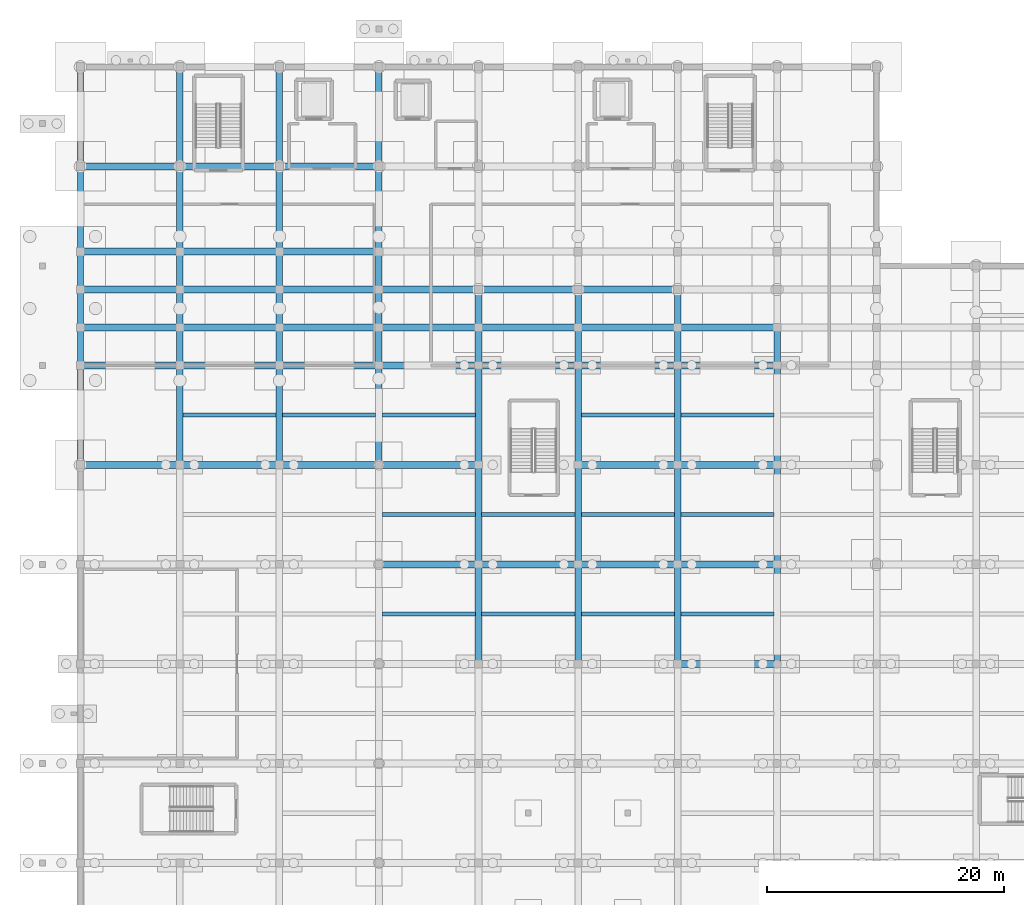
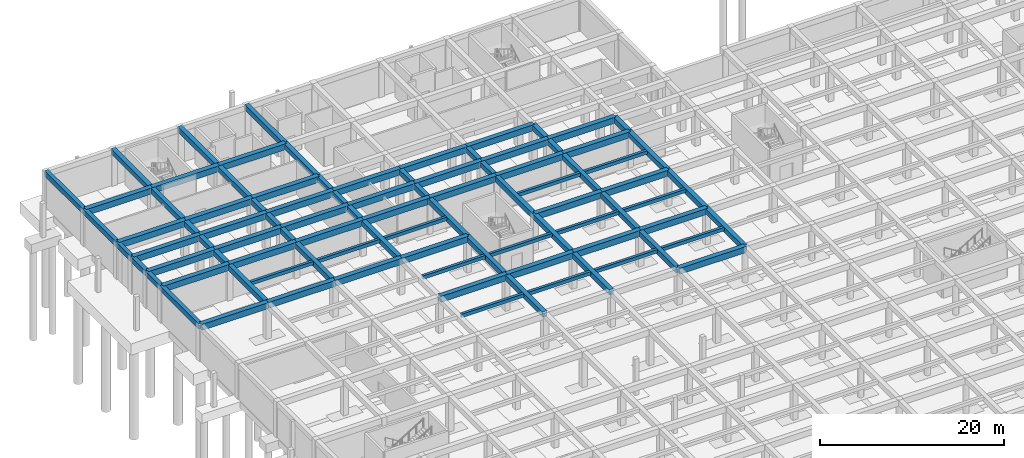
# One storey, part 18 of 51: 93 beams.
"""IFC4 building model written with IfcOpenShell, lengths in metres."""

from ifc_helpers import new_model, si_unit, direction, frame, origin, origin_2d, place, context, subcontext, project, spatial, rectangle, extrude, material, material_profile, profile_set, type_object, element, save


model = new_model("IFC4")

# Units and contexts
model_context = context("Model", 3, precision=1e-05, world=origin(), true_north=direction((0.0, 1.0)))
body_context = subcontext(model_context, "Body", "Model", "MODEL_VIEW")
ifc_project = project(units=[si_unit("LENGTHUNIT", "METRE"), si_unit("AREAUNIT", "SQUARE_METRE"), si_unit("VOLUMEUNIT", "CUBIC_METRE"), si_unit("PLANEANGLEUNIT", "RADIAN"), si_unit("MASSUNIT", "GRAM", prefix="KILO")], contexts=[model_context])

# Site, building, storey
site_placement = place(None, origin())
site = spatial("IfcSite", under=ifc_project, at=site_placement, CompositionType="ELEMENT")
building_placement = place(site_placement, origin())
building = spatial("IfcBuilding", under=site, at=building_placement, Name="Varncliffe General Hospital", CompositionType="ELEMENT")
storey_placement = place(building_placement, frame((0.0, 0.0, -4.800048828125)))
storey = spatial("IfcBuildingStorey", under=building, at=storey_placement, Name="B1", CompositionType="ELEMENT", Elevation=-4.800048828125)

# Beams
ifc_material = material(Name="Concrete C35/45 (CSA A23.1 35 MPa)", Category="concrete")
ifc_material_profile_1 = material_profile(ifc_material, rectangle(XDim=0.550048828125, YDim=0.699951171875, at=origin_2d()), Name="RC 550x700")
ifc_profile_set_1 = profile_set([ifc_material_profile_1], Name="Concrete C35/45 (CSA A23.1 35 MPa)")
beam_type_1 = type_object("IfcBeamType", Name="Beam B35 (Int RC 550x700)", PredefinedType="BEAM", material=ifc_profile_set_1)
beam_1_placement = place(storey_placement, frame((8.39990234375, 91.199951171875, 4.449951171875), z_axis=(0.0, 1.0, 0.0), x_axis=(-1.0, 0.0, 0.0)))
element("IfcBeam", 1, at=beam_1_placement, inside=storey, type_object=beam_type_1, Name="B1 Primary Beam B35-348", PredefinedType="BEAM", context=body_context, shape_type="SweptSolid", body=[
    extrude(rectangle(XDim=0.550048828125, YDim=0.699951171875, at=origin_2d()), origin(), (0.0, 0.0, 1.0), 8.400146484375),
])
for number, where, z_axis, x_axis, name in (
    (2, (8.39990234375, 99.60009765625, 4.449951171875), (0.0, 1.0, 0.0), (-1.0, 0.0, 0.0), "B1 Primary Beam B35-349"),
    (3, (8.39990234375, 102.800048828125, 4.449951171875), (0.0, 1.0, 0.0), (-1.0, 0.0, 0.0), "B1 Primary Beam B35-350"),
    (4, (8.39990234375, 106.0, 4.449951171875), (0.0, 1.0, 0.0), (-1.0, 0.0, 0.0), "B1 Primary Beam B35-351"),
):
    element("IfcBeam", number, at=place(storey_placement, frame(where, z_axis=z_axis, x_axis=x_axis)), inside=storey, type_object=beam_type_1, Name=name, PredefinedType="BEAM", context=body_context, shape_type="SweptSolid", body=[
        extrude(rectangle(XDim=0.550048828125, YDim=0.699951171875, at=origin_2d()), origin(), (0.0, 0.0, 1.0), 3.199951171875),
    ])
beam_2_placement = place(storey_placement, frame((8.39990234375, 109.199951171875, 4.449951171875), z_axis=(0.0, 1.0, 0.0), x_axis=(-1.0, 0.0, 0.0)))
element("IfcBeam", 5, at=beam_2_placement, inside=storey, type_object=beam_type_1, Name="B1 Primary Beam B35-352", PredefinedType="BEAM", context=body_context, shape_type="SweptSolid", body=[
    extrude(rectangle(XDim=0.550048828125, YDim=0.699951171875, at=origin_2d()), origin(), (0.0, 0.0, 1.0), 7.199951171875),
])
for number, where, z_axis, x_axis, name in (
    (6, (8.39990234375, 116.39990234375, 4.449951171875), (0.0, 1.0, 0.0), (-1.0, 0.0, 0.0), "B1 Primary Beam B35-353"),
    (7, (16.800048828125, 91.199951171875, 4.449951171875), (0.0, 1.0, 0.0), (-1.0, 0.0, 0.0), "B1 Primary Beam B35-365"),
):
    element("IfcBeam", number, at=place(storey_placement, frame(where, z_axis=z_axis, x_axis=x_axis)), inside=storey, type_object=beam_type_1, Name=name, PredefinedType="BEAM", context=body_context, shape_type="SweptSolid", body=[
        extrude(rectangle(XDim=0.550048828125, YDim=0.699951171875, at=origin_2d()), origin(), (0.0, 0.0, 1.0), 8.400146484375),
    ])
for number, where, z_axis, x_axis, name in (
    (8, (16.800048828125, 99.60009765625, 4.449951171875), (0.0, 1.0, 0.0), (-1.0, 0.0, 0.0), "B1 Primary Beam B35-366"),
    (9, (16.800048828125, 102.800048828125, 4.449951171875), (0.0, 1.0, 0.0), (-1.0, 0.0, 0.0), "B1 Primary Beam B35-367"),
    (10, (16.800048828125, 106.0, 4.449951171875), (0.0, 1.0, 0.0), (-1.0, 0.0, 0.0), "B1 Primary Beam B35-368"),
):
    element("IfcBeam", number, at=place(storey_placement, frame(where, z_axis=z_axis, x_axis=x_axis)), inside=storey, type_object=beam_type_1, Name=name, PredefinedType="BEAM", context=body_context, shape_type="SweptSolid", body=[
        extrude(rectangle(XDim=0.550048828125, YDim=0.699951171875, at=origin_2d()), origin(), (0.0, 0.0, 1.0), 3.199951171875),
    ])
beam_3_placement = place(storey_placement, frame((16.800048828125, 109.199951171875, 4.449951171875), z_axis=(0.0, 1.0, 0.0), x_axis=(-1.0, 0.0, 0.0)))
element("IfcBeam", 11, at=beam_3_placement, inside=storey, type_object=beam_type_1, Name="B1 Primary Beam B35-369", PredefinedType="BEAM", context=body_context, shape_type="SweptSolid", body=[
    extrude(rectangle(XDim=0.550048828125, YDim=0.699951171875, at=origin_2d()), origin(), (0.0, 0.0, 1.0), 7.199951171875),
])
for number, where, z_axis, x_axis, name in (
    (12, (16.800048828125, 116.39990234375, 4.449951171875), (0.0, 1.0, 0.0), (-1.0, 0.0, 0.0), "B1 Primary Beam B35-370"),
    (13, (25.199951171875, 91.199951171875, 4.449951171875), (0.0, 1.0, 0.0), (-1.0, 0.0, 0.0), "B1 Primary Beam B35-382"),
):
    element("IfcBeam", number, at=place(storey_placement, frame(where, z_axis=z_axis, x_axis=x_axis)), inside=storey, type_object=beam_type_1, Name=name, PredefinedType="BEAM", context=body_context, shape_type="SweptSolid", body=[
        extrude(rectangle(XDim=0.550048828125, YDim=0.699951171875, at=origin_2d()), origin(), (0.0, 0.0, 1.0), 8.400146484375),
    ])
for number, where, z_axis, x_axis, name in (
    (14, (25.199951171875, 99.60009765625, 4.449951171875), (0.0, 1.0, 0.0), (-1.0, 0.0, 0.0), "B1 Primary Beam B35-383"),
    (15, (25.199951171875, 102.800048828125, 4.449951171875), (0.0, 1.0, 0.0), (-1.0, 0.0, 0.0), "B1 Primary Beam B35-384"),
    (16, (25.199951171875, 106.0, 4.449951171875), (0.0, 1.0, 0.0), (-1.0, 0.0, 0.0), "B1 Primary Beam B35-385"),
):
    element("IfcBeam", number, at=place(storey_placement, frame(where, z_axis=z_axis, x_axis=x_axis)), inside=storey, type_object=beam_type_1, Name=name, PredefinedType="BEAM", context=body_context, shape_type="SweptSolid", body=[
        extrude(rectangle(XDim=0.550048828125, YDim=0.699951171875, at=origin_2d()), origin(), (0.0, 0.0, 1.0), 3.199951171875),
    ])
beam_4_placement = place(storey_placement, frame((25.199951171875, 109.199951171875, 4.449951171875), z_axis=(0.0, 1.0, 0.0), x_axis=(-1.0, 0.0, 0.0)))
element("IfcBeam", 17, at=beam_4_placement, inside=storey, type_object=beam_type_1, Name="B1 Primary Beam B35-386", PredefinedType="BEAM", context=body_context, shape_type="SweptSolid", body=[
    extrude(rectangle(XDim=0.550048828125, YDim=0.699951171875, at=origin_2d()), origin(), (0.0, 0.0, 1.0), 7.199951171875),
])
for number, where, z_axis, x_axis, name in (
    (18, (25.199951171875, 116.39990234375, 4.449951171875), (0.0, 1.0, 0.0), (-1.0, 0.0, 0.0), "B1 Primary Beam B35-387"),
    (19, (33.60009765625, 74.39990234375, 4.449951171875), (0.0, 1.0, 0.0), (-1.0, 0.0, 0.0), "B1 Primary Beam B35-394"),
):
    element("IfcBeam", number, at=place(storey_placement, frame(where, z_axis=z_axis, x_axis=x_axis)), inside=storey, type_object=beam_type_1, Name=name, PredefinedType="BEAM", context=body_context, shape_type="SweptSolid", body=[
        extrude(rectangle(XDim=0.550048828125, YDim=0.699951171875, at=origin_2d()), origin(), (0.0, 0.0, 1.0), 8.400146484375),
    ])
beam_5_placement = place(storey_placement, frame((33.60009765625, 82.800048828125, 4.449951171875), z_axis=(0.0, 1.0, 0.0), x_axis=(-1.0, 0.0, 0.0)))
element("IfcBeam", 20, at=beam_5_placement, inside=storey, type_object=beam_type_1, Name="B1 Primary Beam B35-395", PredefinedType="BEAM", context=body_context, shape_type="SweptSolid", body=[
    extrude(rectangle(XDim=0.550048828125, YDim=0.699951171875, at=origin_2d()), origin(), (0.0, 0.0, 1.0), 8.39990234375),
])
beam_6_placement = place(storey_placement, frame((33.60009765625, 91.199951171875, 4.449951171875), z_axis=(0.0, 1.0, 0.0), x_axis=(-1.0, 0.0, 0.0)))
element("IfcBeam", 21, at=beam_6_placement, inside=storey, type_object=beam_type_1, Name="B1 Primary Beam B35-396", PredefinedType="BEAM", context=body_context, shape_type="SweptSolid", body=[
    extrude(rectangle(XDim=0.550048828125, YDim=0.699951171875, at=origin_2d()), origin(), (0.0, 0.0, 1.0), 8.400146484375),
])
for number, where, z_axis, x_axis, name in (
    (22, (33.60009765625, 99.60009765625, 4.449951171875), (0.0, 1.0, 0.0), (-1.0, 0.0, 0.0), "B1 Primary Beam B35-397"),
    (23, (33.60009765625, 102.800048828125, 4.449951171875), (0.0, 1.0, 0.0), (-1.0, 0.0, 0.0), "B1 Primary Beam B35-398"),
):
    element("IfcBeam", number, at=place(storey_placement, frame(where, z_axis=z_axis, x_axis=x_axis)), inside=storey, type_object=beam_type_1, Name=name, PredefinedType="BEAM", context=body_context, shape_type="SweptSolid", body=[
        extrude(rectangle(XDim=0.550048828125, YDim=0.699951171875, at=origin_2d()), origin(), (0.0, 0.0, 1.0), 3.199951171875),
    ])
beam_7_placement = place(storey_placement, frame((42.0, 74.39990234375, 4.449951171875), z_axis=(0.0, 1.0, 0.0), x_axis=(-1.0, 0.0, 0.0)))
element("IfcBeam", 24, at=beam_7_placement, inside=storey, type_object=beam_type_1, Name="B1 Primary Beam B35-408", PredefinedType="BEAM", context=body_context, shape_type="SweptSolid", body=[
    extrude(rectangle(XDim=0.550048828125, YDim=0.699951171875, at=origin_2d()), origin(), (0.0, 0.0, 1.0), 8.400146484375),
])
beam_8_placement = place(storey_placement, frame((42.0, 82.800048828125, 4.449951171875), z_axis=(0.0, 1.0, 0.0), x_axis=(-1.0, 0.0, 0.0)))
element("IfcBeam", 25, at=beam_8_placement, inside=storey, type_object=beam_type_1, Name="B1 Primary Beam B35-409", PredefinedType="BEAM", context=body_context, shape_type="SweptSolid", body=[
    extrude(rectangle(XDim=0.550048828125, YDim=0.699951171875, at=origin_2d()), origin(), (0.0, 0.0, 1.0), 8.39990234375),
])
beam_9_placement = place(storey_placement, frame((42.0, 91.199951171875, 4.449951171875), z_axis=(0.0, 1.0, 0.0), x_axis=(-1.0, 0.0, 0.0)))
element("IfcBeam", 26, at=beam_9_placement, inside=storey, type_object=beam_type_1, Name="B1 Primary Beam B35-410", PredefinedType="BEAM", context=body_context, shape_type="SweptSolid", body=[
    extrude(rectangle(XDim=0.550048828125, YDim=0.699951171875, at=origin_2d()), origin(), (0.0, 0.0, 1.0), 8.400146484375),
])
for number, where, z_axis, x_axis, name in (
    (27, (42.0, 99.60009765625, 4.449951171875), (0.0, 1.0, 0.0), (-1.0, 0.0, 0.0), "B1 Primary Beam B35-411"),
    (28, (42.0, 102.800048828125, 4.449951171875), (0.0, 1.0, 0.0), (-1.0, 0.0, 0.0), "B1 Primary Beam B35-412"),
):
    element("IfcBeam", number, at=place(storey_placement, frame(where, z_axis=z_axis, x_axis=x_axis)), inside=storey, type_object=beam_type_1, Name=name, PredefinedType="BEAM", context=body_context, shape_type="SweptSolid", body=[
        extrude(rectangle(XDim=0.550048828125, YDim=0.699951171875, at=origin_2d()), origin(), (0.0, 0.0, 1.0), 3.199951171875),
    ])
beam_10_placement = place(storey_placement, frame((50.39990234375, 74.39990234375, 4.449951171875), z_axis=(0.0, 1.0, 0.0), x_axis=(-1.0, 0.0, 0.0)))
element("IfcBeam", 29, at=beam_10_placement, inside=storey, type_object=beam_type_1, Name="B1 Primary Beam B35-422", PredefinedType="BEAM", context=body_context, shape_type="SweptSolid", body=[
    extrude(rectangle(XDim=0.550048828125, YDim=0.699951171875, at=origin_2d()), origin(), (0.0, 0.0, 1.0), 8.400146484375),
])
beam_11_placement = place(storey_placement, frame((50.39990234375, 82.800048828125, 4.449951171875), z_axis=(0.0, 1.0, 0.0), x_axis=(-1.0, 0.0, 0.0)))
element("IfcBeam", 30, at=beam_11_placement, inside=storey, type_object=beam_type_1, Name="B1 Primary Beam B35-423", PredefinedType="BEAM", context=body_context, shape_type="SweptSolid", body=[
    extrude(rectangle(XDim=0.550048828125, YDim=0.699951171875, at=origin_2d()), origin(), (0.0, 0.0, 1.0), 8.39990234375),
])
beam_12_placement = place(storey_placement, frame((50.39990234375, 91.199951171875, 4.449951171875), z_axis=(0.0, 1.0, 0.0), x_axis=(-1.0, 0.0, 0.0)))
element("IfcBeam", 31, at=beam_12_placement, inside=storey, type_object=beam_type_1, Name="B1 Primary Beam B35-424", PredefinedType="BEAM", context=body_context, shape_type="SweptSolid", body=[
    extrude(rectangle(XDim=0.550048828125, YDim=0.699951171875, at=origin_2d()), origin(), (0.0, 0.0, 1.0), 8.400146484375),
])
for number, where, z_axis, x_axis, name in (
    (32, (50.39990234375, 99.60009765625, 4.449951171875), (0.0, 1.0, 0.0), (-1.0, 0.0, 0.0), "B1 Primary Beam B35-425"),
    (33, (50.39990234375, 102.800048828125, 4.449951171875), (0.0, 1.0, 0.0), (-1.0, 0.0, 0.0), "B1 Primary Beam B35-426"),
):
    element("IfcBeam", number, at=place(storey_placement, frame(where, z_axis=z_axis, x_axis=x_axis)), inside=storey, type_object=beam_type_1, Name=name, PredefinedType="BEAM", context=body_context, shape_type="SweptSolid", body=[
        extrude(rectangle(XDim=0.550048828125, YDim=0.699951171875, at=origin_2d()), origin(), (0.0, 0.0, 1.0), 3.199951171875),
    ])
beam_13_placement = place(storey_placement, frame((58.800048828125, 74.39990234375, 4.449951171875), z_axis=(0.0, 1.0, 0.0), x_axis=(-1.0, 0.0, 0.0)))
element("IfcBeam", 34, at=beam_13_placement, inside=storey, type_object=beam_type_1, Name="B1 Primary Beam B35-438", PredefinedType="BEAM", context=body_context, shape_type="SweptSolid", body=[
    extrude(rectangle(XDim=0.550048828125, YDim=0.699951171875, at=origin_2d()), origin(), (0.0, 0.0, 1.0), 8.400146484375),
])
beam_14_placement = place(storey_placement, frame((58.800048828125, 82.800048828125, 4.449951171875), z_axis=(0.0, 1.0, 0.0), x_axis=(-1.0, 0.0, 0.0)))
element("IfcBeam", 35, at=beam_14_placement, inside=storey, type_object=beam_type_1, Name="B1 Primary Beam B35-439", PredefinedType="BEAM", context=body_context, shape_type="SweptSolid", body=[
    extrude(rectangle(XDim=0.550048828125, YDim=0.699951171875, at=origin_2d()), origin(), (0.0, 0.0, 1.0), 8.39990234375),
])
beam_15_placement = place(storey_placement, frame((58.800048828125, 91.199951171875, 4.449951171875), z_axis=(0.0, 1.0, 0.0), x_axis=(-1.0, 0.0, 0.0)))
element("IfcBeam", 36, at=beam_15_placement, inside=storey, type_object=beam_type_1, Name="B1 Primary Beam B35-440", PredefinedType="BEAM", context=body_context, shape_type="SweptSolid", body=[
    extrude(rectangle(XDim=0.550048828125, YDim=0.699951171875, at=origin_2d()), origin(), (0.0, 0.0, 1.0), 8.400146484375),
])
beam_16_placement = place(storey_placement, frame((58.800048828125, 99.60009765625, 4.449951171875), z_axis=(0.0, 1.0, 0.0), x_axis=(-1.0, 0.0, 0.0)))
element("IfcBeam", 37, at=beam_16_placement, inside=storey, type_object=beam_type_1, Name="B1 Primary Beam B35-441", PredefinedType="BEAM", context=body_context, shape_type="SweptSolid", body=[
    extrude(rectangle(XDim=0.550048828125, YDim=0.699951171875, at=origin_2d()), origin(), (0.0, 0.0, 1.0), 3.199951171875),
])
ifc_material_profile_2 = material_profile(ifc_material, rectangle(XDim=0.60009765625, YDim=0.800048828125, at=origin_2d()), Name="RC 600x800")
ifc_profile_set_2 = profile_set([ifc_material_profile_2], Name="Concrete C35/45 (CSA A23.1 35 MPa)")
beam_type_2 = type_object("IfcBeamType", Name="Beam B40 (Int RC 600x800)", PredefinedType="BEAM", material=ifc_profile_set_2)
for number, where, z_axis, x_axis, name in (
    (38, (50.39990234375, 74.39990234375, 4.400146484375), (1.0, 0.0, 0.0), (0.0, 1.0, 0.0), "B1 Primary Beam B40-160"),
    (39, (25.199951171875, 82.800048828125, 4.400146484375), (1.0, 0.0, 0.0), (0.0, 1.0, 0.0), "B1 Primary Beam B40-178"),
):
    element("IfcBeam", number, at=place(storey_placement, frame(where, z_axis=z_axis, x_axis=x_axis)), inside=storey, type_object=beam_type_2, Name=name, PredefinedType="BEAM", context=body_context, shape_type="SweptSolid", body=[
        extrude(rectangle(XDim=0.60009765625, YDim=0.800048828125, at=origin_2d()), origin(), (0.0, 0.0, 1.0), 8.400146484375),
    ])
for number, where, z_axis, x_axis, name in (
    (40, (33.60009765625, 82.800048828125, 4.400146484375), (1.0, 0.0, 0.0), (0.0, 1.0, 0.0), "B1 Primary Beam B40-179"),
    (41, (42.0, 82.800048828125, 4.400146484375), (1.0, 0.0, 0.0), (0.0, 1.0, 0.0), "B1 Primary Beam B40-180"),
):
    element("IfcBeam", number, at=place(storey_placement, frame(where, z_axis=z_axis, x_axis=x_axis)), inside=storey, type_object=beam_type_2, Name=name, PredefinedType="BEAM", context=body_context, shape_type="SweptSolid", body=[
        extrude(rectangle(XDim=0.60009765625, YDim=0.800048828125, at=origin_2d()), origin(), (0.0, 0.0, 1.0), 8.39990234375),
    ])
beam_17_placement = place(storey_placement, frame((50.39990234375, 82.800048828125, 4.400146484375), z_axis=(1.0, 0.0, 0.0), x_axis=(0.0, 1.0, 0.0)))
element("IfcBeam", 42, at=beam_17_placement, inside=storey, type_object=beam_type_2, Name="B1 Primary Beam B40-181", PredefinedType="BEAM", context=body_context, shape_type="SweptSolid", body=[
    extrude(rectangle(XDim=0.60009765625, YDim=0.800048828125, at=origin_2d()), origin(), (0.0, 0.0, 1.0), 8.400146484375),
])
beam_18_placement = place(storey_placement, frame((0.0, 91.199951171875, 4.400146484375), z_axis=(1.0, 0.0, 0.0), x_axis=(0.0, 1.0, 0.0)))
element("IfcBeam", 43, at=beam_18_placement, inside=storey, type_object=beam_type_2, Name="B1 Primary Beam B40-196", PredefinedType="BEAM", context=body_context, shape_type="SweptSolid", body=[
    extrude(rectangle(XDim=0.60009765625, YDim=0.800048828125, at=origin_2d()), origin(), (0.0, 0.0, 1.0), 8.39990234375),
])
beam_19_placement = place(storey_placement, frame((8.39990234375, 91.199951171875, 4.400146484375), z_axis=(1.0, 0.0, 0.0), x_axis=(0.0, 1.0, 0.0)))
element("IfcBeam", 44, at=beam_19_placement, inside=storey, type_object=beam_type_2, Name="B1 Primary Beam B40-197", PredefinedType="BEAM", context=body_context, shape_type="SweptSolid", body=[
    extrude(rectangle(XDim=0.60009765625, YDim=0.800048828125, at=origin_2d()), origin(), (0.0, 0.0, 1.0), 8.400146484375),
])
beam_20_placement = place(storey_placement, frame((16.800048828125, 91.199951171875, 4.400146484375), z_axis=(1.0, 0.0, 0.0), x_axis=(0.0, 1.0, 0.0)))
element("IfcBeam", 45, at=beam_20_placement, inside=storey, type_object=beam_type_2, Name="B1 Primary Beam B40-198", PredefinedType="BEAM", context=body_context, shape_type="SweptSolid", body=[
    extrude(rectangle(XDim=0.60009765625, YDim=0.800048828125, at=origin_2d()), origin(), (0.0, 0.0, 1.0), 8.39990234375),
])
beam_21_placement = place(storey_placement, frame((25.199951171875, 91.199951171875, 4.400146484375), z_axis=(1.0, 0.0, 0.0), x_axis=(0.0, 1.0, 0.0)))
element("IfcBeam", 46, at=beam_21_placement, inside=storey, type_object=beam_type_2, Name="B1 Primary Beam B40-199", PredefinedType="BEAM", context=body_context, shape_type="SweptSolid", body=[
    extrude(rectangle(XDim=0.60009765625, YDim=0.800048828125, at=origin_2d()), origin(), (0.0, 0.0, 1.0), 8.400146484375),
])
beam_22_placement = place(storey_placement, frame((42.0, 91.199951171875, 4.400146484375), z_axis=(1.0, 0.0, 0.0), x_axis=(0.0, 1.0, 0.0)))
element("IfcBeam", 47, at=beam_22_placement, inside=storey, type_object=beam_type_2, Name="B1 Primary Beam B40-200", PredefinedType="BEAM", context=body_context, shape_type="SweptSolid", body=[
    extrude(rectangle(XDim=0.60009765625, YDim=0.800048828125, at=origin_2d()), origin(), (0.0, 0.0, 1.0), 8.39990234375),
])
beam_23_placement = place(storey_placement, frame((50.39990234375, 91.199951171875, 4.400146484375), z_axis=(1.0, 0.0, 0.0), x_axis=(0.0, 1.0, 0.0)))
element("IfcBeam", 48, at=beam_23_placement, inside=storey, type_object=beam_type_2, Name="B1 Primary Beam B40-201", PredefinedType="BEAM", context=body_context, shape_type="SweptSolid", body=[
    extrude(rectangle(XDim=0.60009765625, YDim=0.800048828125, at=origin_2d()), origin(), (0.0, 0.0, 1.0), 8.400146484375),
])
beam_24_placement = place(storey_placement, frame((0.0, 99.60009765625, 4.400146484375), z_axis=(1.0, 0.0, 0.0), x_axis=(0.0, 1.0, 0.0)))
element("IfcBeam", 49, at=beam_24_placement, inside=storey, type_object=beam_type_2, Name="B1 Primary Beam B40-213", PredefinedType="BEAM", context=body_context, shape_type="SweptSolid", body=[
    extrude(rectangle(XDim=0.60009765625, YDim=0.800048828125, at=origin_2d()), origin(), (0.0, 0.0, 1.0), 8.39990234375),
])
beam_25_placement = place(storey_placement, frame((8.39990234375, 99.60009765625, 4.400146484375), z_axis=(1.0, 0.0, 0.0), x_axis=(0.0, 1.0, 0.0)))
element("IfcBeam", 50, at=beam_25_placement, inside=storey, type_object=beam_type_2, Name="B1 Primary Beam B40-214", PredefinedType="BEAM", context=body_context, shape_type="SweptSolid", body=[
    extrude(rectangle(XDim=0.60009765625, YDim=0.800048828125, at=origin_2d()), origin(), (0.0, 0.0, 1.0), 8.400146484375),
])
beam_26_placement = place(storey_placement, frame((16.800048828125, 99.60009765625, 4.400146484375), z_axis=(1.0, 0.0, 0.0), x_axis=(0.0, 1.0, 0.0)))
element("IfcBeam", 51, at=beam_26_placement, inside=storey, type_object=beam_type_2, Name="B1 Primary Beam B40-215", PredefinedType="BEAM", context=body_context, shape_type="SweptSolid", body=[
    extrude(rectangle(XDim=0.60009765625, YDim=0.800048828125, at=origin_2d()), origin(), (0.0, 0.0, 1.0), 8.39990234375),
])
beam_27_placement = place(storey_placement, frame((25.199951171875, 99.60009765625, 4.400146484375), z_axis=(1.0, 0.0, 0.0), x_axis=(0.0, 1.0, 0.0)))
element("IfcBeam", 52, at=beam_27_placement, inside=storey, type_object=beam_type_2, Name="B1 Primary Beam B40-216", PredefinedType="BEAM", context=body_context, shape_type="SweptSolid", body=[
    extrude(rectangle(XDim=0.60009765625, YDim=0.800048828125, at=origin_2d()), origin(), (0.0, 0.0, 1.0), 8.400146484375),
])
for number, where, z_axis, x_axis, name in (
    (53, (33.60009765625, 99.60009765625, 4.400146484375), (1.0, 0.0, 0.0), (0.0, 1.0, 0.0), "B1 Primary Beam B40-217"),
    (54, (42.0, 99.60009765625, 4.400146484375), (1.0, 0.0, 0.0), (0.0, 1.0, 0.0), "B1 Primary Beam B40-218"),
):
    element("IfcBeam", number, at=place(storey_placement, frame(where, z_axis=z_axis, x_axis=x_axis)), inside=storey, type_object=beam_type_2, Name=name, PredefinedType="BEAM", context=body_context, shape_type="SweptSolid", body=[
        extrude(rectangle(XDim=0.60009765625, YDim=0.800048828125, at=origin_2d()), origin(), (0.0, 0.0, 1.0), 8.39990234375),
    ])
beam_28_placement = place(storey_placement, frame((50.39990234375, 99.60009765625, 4.400146484375), z_axis=(1.0, 0.0, 0.0), x_axis=(0.0, 1.0, 0.0)))
element("IfcBeam", 55, at=beam_28_placement, inside=storey, type_object=beam_type_2, Name="B1 Primary Beam B40-219", PredefinedType="BEAM", context=body_context, shape_type="SweptSolid", body=[
    extrude(rectangle(XDim=0.60009765625, YDim=0.800048828125, at=origin_2d()), origin(), (0.0, 0.0, 1.0), 8.400146484375),
])
beam_29_placement = place(storey_placement, frame((0.0, 102.800048828125, 4.400146484375), z_axis=(1.0, 0.0, 0.0), x_axis=(0.0, 1.0, 0.0)))
element("IfcBeam", 56, at=beam_29_placement, inside=storey, type_object=beam_type_2, Name="B1 Primary Beam B40-234", PredefinedType="BEAM", context=body_context, shape_type="SweptSolid", body=[
    extrude(rectangle(XDim=0.60009765625, YDim=0.800048828125, at=origin_2d()), origin(), (0.0, 0.0, 1.0), 8.39990234375),
])
beam_30_placement = place(storey_placement, frame((8.39990234375, 102.800048828125, 4.400146484375), z_axis=(1.0, 0.0, 0.0), x_axis=(0.0, 1.0, 0.0)))
element("IfcBeam", 57, at=beam_30_placement, inside=storey, type_object=beam_type_2, Name="B1 Primary Beam B40-235", PredefinedType="BEAM", context=body_context, shape_type="SweptSolid", body=[
    extrude(rectangle(XDim=0.60009765625, YDim=0.800048828125, at=origin_2d()), origin(), (0.0, 0.0, 1.0), 8.400146484375),
])
beam_31_placement = place(storey_placement, frame((16.800048828125, 102.800048828125, 4.400146484375), z_axis=(1.0, 0.0, 0.0), x_axis=(0.0, 1.0, 0.0)))
element("IfcBeam", 58, at=beam_31_placement, inside=storey, type_object=beam_type_2, Name="B1 Primary Beam B40-236", PredefinedType="BEAM", context=body_context, shape_type="SweptSolid", body=[
    extrude(rectangle(XDim=0.60009765625, YDim=0.800048828125, at=origin_2d()), origin(), (0.0, 0.0, 1.0), 8.39990234375),
])
beam_32_placement = place(storey_placement, frame((25.199951171875, 102.800048828125, 4.400146484375), z_axis=(1.0, 0.0, 0.0), x_axis=(0.0, 1.0, 0.0)))
element("IfcBeam", 59, at=beam_32_placement, inside=storey, type_object=beam_type_2, Name="B1 Primary Beam B40-237", PredefinedType="BEAM", context=body_context, shape_type="SweptSolid", body=[
    extrude(rectangle(XDim=0.60009765625, YDim=0.800048828125, at=origin_2d()), origin(), (0.0, 0.0, 1.0), 8.400146484375),
])
for number, where, z_axis, x_axis, name in (
    (60, (33.60009765625, 102.800048828125, 4.400146484375), (1.0, 0.0, 0.0), (0.0, 1.0, 0.0), "B1 Primary Beam B40-238"),
    (61, (42.0, 102.800048828125, 4.400146484375), (1.0, 0.0, 0.0), (0.0, 1.0, 0.0), "B1 Primary Beam B40-239"),
):
    element("IfcBeam", number, at=place(storey_placement, frame(where, z_axis=z_axis, x_axis=x_axis)), inside=storey, type_object=beam_type_2, Name=name, PredefinedType="BEAM", context=body_context, shape_type="SweptSolid", body=[
        extrude(rectangle(XDim=0.60009765625, YDim=0.800048828125, at=origin_2d()), origin(), (0.0, 0.0, 1.0), 8.39990234375),
    ])
beam_33_placement = place(storey_placement, frame((50.39990234375, 102.800048828125, 4.400146484375), z_axis=(1.0, 0.0, 0.0), x_axis=(0.0, 1.0, 0.0)))
element("IfcBeam", 62, at=beam_33_placement, inside=storey, type_object=beam_type_2, Name="B1 Primary Beam B40-240", PredefinedType="BEAM", context=body_context, shape_type="SweptSolid", body=[
    extrude(rectangle(XDim=0.60009765625, YDim=0.800048828125, at=origin_2d()), origin(), (0.0, 0.0, 1.0), 8.400146484375),
])
beam_34_placement = place(storey_placement, frame((0.0, 106.0, 4.400146484375), z_axis=(1.0, 0.0, 0.0), x_axis=(0.0, 1.0, 0.0)))
element("IfcBeam", 63, at=beam_34_placement, inside=storey, type_object=beam_type_2, Name="B1 Primary Beam B40-255", PredefinedType="BEAM", context=body_context, shape_type="SweptSolid", body=[
    extrude(rectangle(XDim=0.60009765625, YDim=0.800048828125, at=origin_2d()), origin(), (0.0, 0.0, 1.0), 8.39990234375),
])
beam_35_placement = place(storey_placement, frame((8.39990234375, 106.0, 4.400146484375), z_axis=(1.0, 0.0, 0.0), x_axis=(0.0, 1.0, 0.0)))
element("IfcBeam", 64, at=beam_35_placement, inside=storey, type_object=beam_type_2, Name="B1 Primary Beam B40-256", PredefinedType="BEAM", context=body_context, shape_type="SweptSolid", body=[
    extrude(rectangle(XDim=0.60009765625, YDim=0.800048828125, at=origin_2d()), origin(), (0.0, 0.0, 1.0), 8.400146484375),
])
beam_36_placement = place(storey_placement, frame((16.800048828125, 106.0, 4.400146484375), z_axis=(1.0, 0.0, 0.0), x_axis=(0.0, 1.0, 0.0)))
element("IfcBeam", 65, at=beam_36_placement, inside=storey, type_object=beam_type_2, Name="B1 Primary Beam B40-257", PredefinedType="BEAM", context=body_context, shape_type="SweptSolid", body=[
    extrude(rectangle(XDim=0.60009765625, YDim=0.800048828125, at=origin_2d()), origin(), (0.0, 0.0, 1.0), 8.39990234375),
])
beam_37_placement = place(storey_placement, frame((25.199951171875, 106.0, 4.400146484375), z_axis=(1.0, 0.0, 0.0), x_axis=(0.0, 1.0, 0.0)))
element("IfcBeam", 66, at=beam_37_placement, inside=storey, type_object=beam_type_2, Name="B1 Primary Beam B40-258", PredefinedType="BEAM", context=body_context, shape_type="SweptSolid", body=[
    extrude(rectangle(XDim=0.60009765625, YDim=0.800048828125, at=origin_2d()), origin(), (0.0, 0.0, 1.0), 8.400146484375),
])
for number, where, z_axis, x_axis, name in (
    (67, (33.60009765625, 106.0, 4.400146484375), (1.0, 0.0, 0.0), (0.0, 1.0, 0.0), "B1 Primary Beam B40-259"),
    (68, (42.0, 106.0, 4.400146484375), (1.0, 0.0, 0.0), (0.0, 1.0, 0.0), "B1 Primary Beam B40-260"),
    (69, (0.0, 109.199951171875, 4.400146484375), (1.0, 0.0, 0.0), (0.0, 1.0, 0.0), "B1 Primary Beam B40-274"),
):
    element("IfcBeam", number, at=place(storey_placement, frame(where, z_axis=z_axis, x_axis=x_axis)), inside=storey, type_object=beam_type_2, Name=name, PredefinedType="BEAM", context=body_context, shape_type="SweptSolid", body=[
        extrude(rectangle(XDim=0.60009765625, YDim=0.800048828125, at=origin_2d()), origin(), (0.0, 0.0, 1.0), 8.39990234375),
    ])
beam_38_placement = place(storey_placement, frame((8.39990234375, 109.199951171875, 4.400146484375), z_axis=(1.0, 0.0, 0.0), x_axis=(0.0, 1.0, 0.0)))
element("IfcBeam", 70, at=beam_38_placement, inside=storey, type_object=beam_type_2, Name="B1 Primary Beam B40-275", PredefinedType="BEAM", context=body_context, shape_type="SweptSolid", body=[
    extrude(rectangle(XDim=0.60009765625, YDim=0.800048828125, at=origin_2d()), origin(), (0.0, 0.0, 1.0), 8.400146484375),
])
for number, where, z_axis, x_axis, name in (
    (71, (16.800048828125, 109.199951171875, 4.400146484375), (1.0, 0.0, 0.0), (0.0, 1.0, 0.0), "B1 Primary Beam B40-276"),
    (72, (0.0, 116.39990234375, 4.400146484375), (1.0, 0.0, 0.0), (0.0, 1.0, 0.0), "B1 Primary Beam B40-290"),
):
    element("IfcBeam", number, at=place(storey_placement, frame(where, z_axis=z_axis, x_axis=x_axis)), inside=storey, type_object=beam_type_2, Name=name, PredefinedType="BEAM", context=body_context, shape_type="SweptSolid", body=[
        extrude(rectangle(XDim=0.60009765625, YDim=0.800048828125, at=origin_2d()), origin(), (0.0, 0.0, 1.0), 8.39990234375),
    ])
beam_39_placement = place(storey_placement, frame((8.39990234375, 116.39990234375, 4.400146484375), z_axis=(1.0, 0.0, 0.0), x_axis=(0.0, 1.0, 0.0)))
element("IfcBeam", 73, at=beam_39_placement, inside=storey, type_object=beam_type_2, Name="B1 Primary Beam B40-291", PredefinedType="BEAM", context=body_context, shape_type="SweptSolid", body=[
    extrude(rectangle(XDim=0.60009765625, YDim=0.800048828125, at=origin_2d()), origin(), (0.0, 0.0, 1.0), 8.400146484375),
])
beam_40_placement = place(storey_placement, frame((16.800048828125, 116.39990234375, 4.400146484375), z_axis=(1.0, 0.0, 0.0), x_axis=(0.0, 1.0, 0.0)))
element("IfcBeam", 74, at=beam_40_placement, inside=storey, type_object=beam_type_2, Name="B1 Primary Beam B40-292", PredefinedType="BEAM", context=body_context, shape_type="SweptSolid", body=[
    extrude(rectangle(XDim=0.60009765625, YDim=0.800048828125, at=origin_2d()), origin(), (0.0, 0.0, 1.0), 8.39990234375),
])
ifc_material_profile_3 = material_profile(ifc_material, rectangle(XDim=0.35009765625, YDim=0.449951171875, at=origin_2d()), Name="RC 350x450")
ifc_profile_set_3 = profile_set([ifc_material_profile_3], Name="Concrete C35/45 (CSA A23.1 35 MPa)")
beam_type_3 = type_object("IfcBeamType", Name="Joist J55 (Int RC 350x450)", PredefinedType="JOIST", material=ifc_profile_set_3)
for number, where, z_axis, x_axis, name in (
    (75, (8.673095703125, 95.39990234375, 4.574951171875), (1.0, 0.0, 0.0), (0.0, 1.0, 0.0), "B1 Secondary Floor Rib J55-9"),
    (76, (17.072998046875, 95.39990234375, 4.574951171875), (1.0, 0.0, 0.0), (0.0, 1.0, 0.0), "B1 Secondary Floor Rib J55-16"),
    (77, (25.472900390625, 78.60009765625, 4.574951171875), (1.0, 0.0, 0.0), (0.0, 1.0, 0.0), "B1 Secondary Floor Rib J55-22"),
    (78, (25.472900390625, 87.0, 4.574951171875), (1.0, 0.0, 0.0), (0.0, 1.0, 0.0), "B1 Secondary Floor Rib J55-23"),
    (79, (25.472900390625, 95.39990234375, 4.574951171875), (1.0, 0.0, 0.0), (0.0, 1.0, 0.0), "B1 Secondary Floor Rib J55-24"),
    (80, (33.873046875, 78.60009765625, 4.574951171875), (1.0, 0.0, 0.0), (0.0, 1.0, 0.0), "B1 Secondary Floor Rib J55-30"),
    (81, (33.873046875, 87.0, 4.574951171875), (1.0, 0.0, 0.0), (0.0, 1.0, 0.0), "B1 Secondary Floor Rib J55-31"),
    (82, (42.27294921875, 78.60009765625, 4.574951171875), (1.0, 0.0, 0.0), (0.0, 1.0, 0.0), "B1 Secondary Floor Rib J55-37"),
    (83, (42.27294921875, 87.0, 4.574951171875), (1.0, 0.0, 0.0), (0.0, 1.0, 0.0), "B1 Secondary Floor Rib J55-38"),
    (84, (42.27294921875, 95.39990234375, 4.574951171875), (1.0, 0.0, 0.0), (0.0, 1.0, 0.0), "B1 Secondary Floor Rib J55-39"),
    (85, (50.673095703125, 78.60009765625, 4.574951171875), (1.0, 0.0, 0.0), (0.0, 1.0, 0.0), "B1 Secondary Floor Rib J55-46"),
    (86, (50.673095703125, 87.0, 4.574951171875), (1.0, 0.0, 0.0), (0.0, 1.0, 0.0), "B1 Secondary Floor Rib J55-47"),
    (87, (50.673095703125, 95.39990234375, 4.574951171875), (1.0, 0.0, 0.0), (0.0, 1.0, 0.0), "B1 Secondary Floor Rib J55-48"),
):
    element("IfcBeam", number, at=place(storey_placement, frame(where, z_axis=z_axis, x_axis=x_axis)), inside=storey, type_object=beam_type_3, Name=name, PredefinedType="JOIST", context=body_context, shape_type="SweptSolid", body=[
        extrude(rectangle(XDim=0.35009765625, YDim=0.449951171875, at=origin_2d()), origin(), (0.0, 0.0, 1.0), 7.85400390625),
    ])
ifc_material_profile_4 = material_profile(ifc_material, rectangle(XDim=0.5, YDim=0.699951171875, at=origin_2d()), Name="RC 500x700")
ifc_profile_set_4 = profile_set([ifc_material_profile_4], Name="Concrete C35/45 (CSA A23.1 35 MPa)")
beam_type_4 = type_object("IfcBeamType", Name="Spandrel SP19 (Ext RC 500x700)", PredefinedType="SPANDREL", material=ifc_profile_set_4)
beam_41_placement = place(storey_placement, frame((0.0, 91.199951171875, 4.449951171875), z_axis=(0.0, 1.0, 0.0), x_axis=(-1.0, 0.0, 0.0)))
element("IfcBeam", 88, at=beam_41_placement, inside=storey, type_object=beam_type_4, Name="B1 Spandrel Beam SP19-333", PredefinedType="SPANDREL", context=body_context, shape_type="SweptSolid", body=[
    extrude(rectangle(XDim=0.5, YDim=0.699951171875, at=origin_2d()), origin(), (0.0, 0.0, 1.0), 8.400146484375),
])
for number, where, z_axis, x_axis, name in (
    (89, (0.0, 99.60009765625, 4.449951171875), (0.0, 1.0, 0.0), (-1.0, 0.0, 0.0), "B1 Spandrel Beam SP19-334"),
    (90, (0.0, 102.800048828125, 4.449951171875), (0.0, 1.0, 0.0), (-1.0, 0.0, 0.0), "B1 Spandrel Beam SP19-335"),
    (91, (0.0, 106.0, 4.449951171875), (0.0, 1.0, 0.0), (-1.0, 0.0, 0.0), "B1 Spandrel Beam SP19-336"),
):
    element("IfcBeam", number, at=place(storey_placement, frame(where, z_axis=z_axis, x_axis=x_axis)), inside=storey, type_object=beam_type_4, Name=name, PredefinedType="SPANDREL", context=body_context, shape_type="SweptSolid", body=[
        extrude(rectangle(XDim=0.5, YDim=0.699951171875, at=origin_2d()), origin(), (0.0, 0.0, 1.0), 3.199951171875),
    ])
beam_42_placement = place(storey_placement, frame((0.0, 109.199951171875, 4.449951171875), z_axis=(0.0, 1.0, 0.0), x_axis=(-1.0, 0.0, 0.0)))
element("IfcBeam", 92, at=beam_42_placement, inside=storey, type_object=beam_type_4, Name="B1 Spandrel Beam SP19-337", PredefinedType="SPANDREL", context=body_context, shape_type="SweptSolid", body=[
    extrude(rectangle(XDim=0.5, YDim=0.699951171875, at=origin_2d()), origin(), (0.0, 0.0, 1.0), 7.199951171875),
])
beam_43_placement = place(storey_placement, frame((0.0, 116.39990234375, 4.449951171875), z_axis=(0.0, 1.0, 0.0), x_axis=(-1.0, 0.0, 0.0)))
element("IfcBeam", 93, at=beam_43_placement, inside=storey, type_object=beam_type_4, Name="B1 Spandrel Beam SP19-338", PredefinedType="SPANDREL", context=body_context, shape_type="SweptSolid", body=[
    extrude(rectangle(XDim=0.5, YDim=0.699951171875, at=origin_2d()), origin(), (0.0, 0.0, 1.0), 8.400146484375),
])

save(model, "model.ifc")
